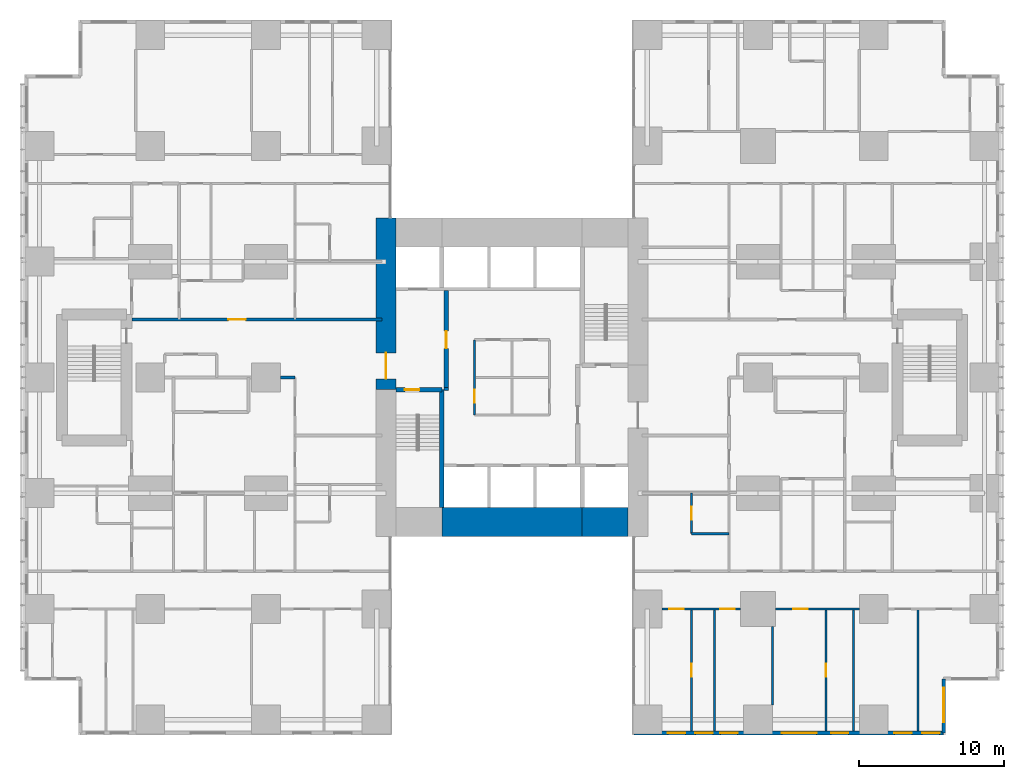
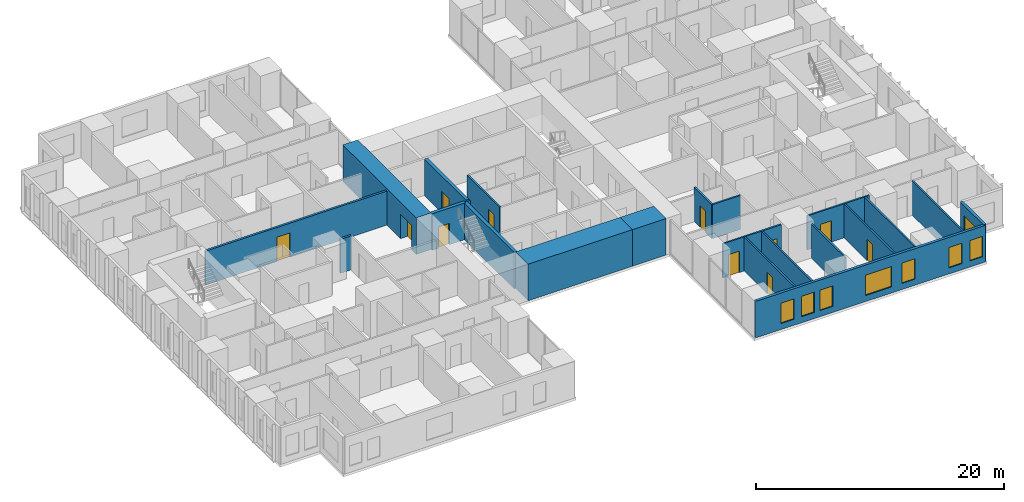
# One storey, part 14 of 20: 22 walls, 11 doors, 8 windows, 19 openings.
"""IFC4 building model written with IfcOpenShell, lengths in metres."""

from ifc_helpers import new_model, si_unit, direction, frame, frame_2d, origin, place, context, subcontext, project, spatial, rectangle, extrude, material, layer, layer_set, type_object, element, fill, save


model = new_model("IFC4")

# Units and contexts
model_context = context("Model", 3, precision=1e-05, world=origin(), true_north=direction((0.0, 1.0)))
body_context = subcontext(model_context, "Body", "Model", "MODEL_VIEW")
ifc_project = project(units=[si_unit("LENGTHUNIT", "METRE"), si_unit("AREAUNIT", "SQUARE_METRE"), si_unit("VOLUMEUNIT", "CUBIC_METRE"), si_unit("PLANEANGLEUNIT", "RADIAN"), si_unit("MASSUNIT", "GRAM", prefix="KILO")], contexts=[model_context])

# Site, building, storey
site_placement = place(None, origin())
site = spatial("IfcSite", under=ifc_project, at=site_placement, CompositionType="ELEMENT")
building_placement = place(site_placement, origin())
building = spatial("IfcBuilding", under=site, at=building_placement, Name="Cleftline Residences", CompositionType="ELEMENT")
storey_placement = place(building_placement, frame((0.0, 0.0, 80.0)))
storey = spatial("IfcBuildingStorey", under=building, at=storey_placement, Name="L20", CompositionType="ELEMENT", Elevation=80.0)

# Wall, opening, door
ifc_material_1 = material(Name="Concrete B70", Category="concrete")
ifc_layer_1 = layer(ifc_material_1, 1.39990234375)
ifc_layer_set_1 = layer_set([ifc_layer_1], Name="CORE WALL 1400")
wall_type_1 = type_object("IfcWallType", Name="CORE WALL 1400", PredefinedType="SHEAR", material=ifc_layer_set_1)
wall_1_placement = place(storey_placement, frame((24.300048828125, 23.14990234375, 0.0), z_axis=(0.0, 0.0, 1.0), x_axis=(0.0, 1.0, 0.0)))
wall_1 = element("IfcWall", 1, at=wall_1_placement, inside=storey, type_object=wall_type_1, Name="Core wall W", PredefinedType="SHEAR", context=body_context, shape_type="SweptSolid", body=[
    extrude(rectangle(XDim=11.85009765625, YDim=1.39990234375, at=frame_2d((5.925048828125, 0.0))), origin(), (0.0, 0.0, 1.0), 3.60009765625),
])
opening_1_placement = place(wall_1_placement, frame((0.75, 0.0, 0.0)))
opening_1 = element("IfcOpeningElement", 2, at=opening_1_placement, cuts=wall_1, Name="Opening D7", PredefinedType="OPENING", context=body_context, shape_type="SweptSolid", body=[
    extrude(rectangle(XDim=1.800048828125, YDim=2.39990234375, at=frame_2d((0.89990234375, 1.199951171875))), frame((0.0, 0.7099609375, 0.0), z_axis=(0.0, -1.0, 0.0), x_axis=(1.0, 0.0, 0.0)), (0.0, 0.0, 1.0), 1.419921875),
])
ifc_material_2 = material(Name="Steel", Category="steel")
door_type_1 = type_object("IfcDoorType", Name="WING DOOR 1800X2400", OperationType="DOUBLE_DOOR_DOUBLE_SWING", PredefinedType="DOOR", material=ifc_material_2)
door_1_placement = place(opening_1_placement, origin())
door_1 = element("IfcDoor", 3, at=door_1_placement, inside=storey, type_object=door_type_1, Name="West wing door", OperationType="DOUBLE_DOOR_DOUBLE_SWING", OverallHeight=2.39990234375, OverallWidth=1.800048828125, PredefinedType="DOOR", context=body_context, shape_type="SweptSolid", body=[
    extrude(rectangle(XDim=1.800048828125, YDim=2.39990234375, at=frame_2d((0.89990234375, 1.199951171875))), frame((0.0, 0.02490234375, 0.0), z_axis=(0.0, -1.0, 0.0), x_axis=(1.0, 0.0, 0.0)), (0.0, 0.0, 1.0), 0.050048828125),
])
fill(opening_1, door_1)

# Walls
ifc_material_3 = material(Name="Concrete B70", Category="concrete")
ifc_layer_2 = layer(ifc_material_3, 2.0)
ifc_layer_set_2 = layer_set([ifc_layer_2], Name="CORE WALL 2000")
wall_type_2 = type_object("IfcWallType", Name="CORE WALL 2000", PredefinedType="SHEAR", material=ifc_layer_set_2)
wall_2_placement = place(storey_placement, frame((28.14990234375, 14.0, 0.0), z_axis=(0.0, 0.0, 1.0), x_axis=(1.0, 0.0, 0.0)))
element("IfcWall", 4, at=wall_2_placement, inside=storey, type_object=wall_type_2, Name="Core wall S2", PredefinedType="SHEAR", context=body_context, shape_type="SweptSolid", body=[
    extrude(rectangle(XDim=9.7001953125, YDim=2.0, at=frame_2d((4.85009765625, 0.0))), origin(), (0.0, 0.0, 1.0), 3.60009765625),
])
wall_3_placement = place(storey_placement, frame((37.85009765625, 14.0, 0.0), z_axis=(0.0, 0.0, 1.0), x_axis=(1.0, 0.0, 0.0)))
element("IfcWall", 5, at=wall_3_placement, inside=storey, type_object=wall_type_2, Name="Core wall S3", PredefinedType="SHEAR", context=body_context, shape_type="SweptSolid", body=[
    extrude(rectangle(XDim=3.14990234375, YDim=2.0, at=frame_2d((1.574951171875, 0.0))), origin(), (0.0, 0.0, 1.0), 3.60009765625),
])
ifc_material_4 = material(Name="Concrete B70", Category="concrete")
ifc_layer_3 = layer(ifc_material_4, 0.300048828125)
ifc_layer_set_3 = layer_set([ifc_layer_3], Name="CORE WALL 300")
wall_type_3 = type_object("IfcWallType", Name="CORE WALL 300", PredefinedType="SHEAR", material=ifc_layer_set_3)
wall_4_placement = place(storey_placement, frame((28.14990234375, 15.0, 0.0), z_axis=(0.0, 0.0, 1.0), x_axis=(0.0, 1.0, 0.0)))
element("IfcWall", 6, at=wall_4_placement, inside=storey, type_object=wall_type_3, Name="Core wall SA-E", PredefinedType="SHEAR", context=body_context, shape_type="SweptSolid", body=[
    extrude(rectangle(XDim=8.14990234375, YDim=0.300048828125, at=frame_2d((4.074951171875, 0.0))), origin(), (0.0, 0.0, 1.0), 3.60009765625),
])

# Wall, opening, door
wall_5_placement = place(storey_placement, frame((25.0, 23.14990234375, 0.0), z_axis=(0.0, 0.0, 1.0), x_axis=(1.0, 0.0, 0.0)))
wall_5 = element("IfcWall", 7, at=wall_5_placement, inside=storey, type_object=wall_type_3, Name="Core wall SA-N", PredefinedType="SHEAR", context=body_context, shape_type="SweptSolid", body=[
    extrude(rectangle(XDim=3.14990234375, YDim=0.300048828125, at=frame_2d((1.574951171875, 0.0))), origin(), (0.0, 0.0, 1.0), 3.60009765625),
])
opening_2_placement = place(wall_5_placement, frame((0.60009765625, 0.0, 0.0)))
opening_2 = element("IfcOpeningElement", 8, at=opening_2_placement, cuts=wall_5, Name="Opening D5", PredefinedType="OPENING", context=body_context, shape_type="SweptSolid", body=[
    extrude(rectangle(XDim=1.0, YDim=2.10009765625, at=frame_2d((0.5, 1.050048828125))), frame((0.0, 0.159912109375, 0.0), z_axis=(0.0, -1.0, 0.0), x_axis=(1.0, 0.0, 0.0)), (0.0, 0.0, 1.0), 0.320068359375),
])
ifc_material_5 = material(Name="Steel", Category="steel")
door_type_2 = type_object("IfcDoorType", Name="STAIR DOOR 1000X2100", OperationType="SINGLE_SWING_LEFT", PredefinedType="DOOR", material=ifc_material_5)
door_2_placement = place(opening_2_placement, origin())
door_2 = element("IfcDoor", 9, at=door_2_placement, inside=storey, type_object=door_type_2, Name="Stair A door", OperationType="SINGLE_SWING_RIGHT", OverallHeight=2.10009765625, OverallWidth=1.0, PredefinedType="DOOR", context=body_context, shape_type="SweptSolid", body=[
    extrude(rectangle(XDim=1.0, YDim=2.10009765625, at=frame_2d((0.5, 1.050048828125))), frame((0.0, 0.02490234375, 0.0), z_axis=(0.0, -1.0, 0.0), x_axis=(1.0, 0.0, 0.0)), (0.0, 0.0, 1.0), 0.050048828125),
])
fill(opening_2, door_2)

# Wall, openings, windows
ifc_material_6 = material(Name="Rendered reinforced concrete blockwork", Category="masonry")
ifc_layer_4 = layer(ifc_material_6, 0.25)
ifc_layer_set_4 = layer_set([ifc_layer_4], Name="EXTERNAL WALL 250")
wall_type_4 = type_object("IfcWallType", Name="EXTERNAL WALL 250", PredefinedType="SOLIDWALL", material=ifc_layer_set_4)
wall_6_placement = place(storey_placement, frame((41.425048828125, -0.574951171875, 0.0), z_axis=(0.0, 0.0, 1.0), x_axis=(1.0, 0.0, 0.0)))
wall_6 = element("IfcWall", 10, at=wall_6_placement, inside=storey, type_object=wall_type_4, Name="External wall", PredefinedType="SOLIDWALL", context=body_context, shape_type="SweptSolid", body=[
    extrude(rectangle(XDim=21.39990234375, YDim=0.25, at=frame_2d((10.699951171875, 0.0))), origin(), (0.0, 0.0, 1.0), 3.60009765625),
])
opening_3_placement = place(wall_6_placement, frame((2.35009765625, 0.0, 0.60009765625)))
opening_3 = element("IfcOpeningElement", 11, at=opening_3_placement, cuts=wall_6, Name="Opening W8", PredefinedType="OPENING", context=body_context, shape_type="SweptSolid", body=[
    extrude(rectangle(XDim=1.199951171875, YDim=2.0, at=frame_2d((0.60009765625, 1.0))), frame((0.0, 0.135009765625, 0.0), z_axis=(0.0, -1.0, 0.0), x_axis=(1.0, 0.0, 0.0)), (0.0, 0.0, 1.0), 0.27001953125),
])
opening_4_placement = place(wall_6_placement, frame((4.25, 0.0, 0.60009765625)))
opening_4 = element("IfcOpeningElement", 12, at=opening_4_placement, cuts=wall_6, Name="Opening W8", PredefinedType="OPENING", context=body_context, shape_type="SweptSolid", body=[
    extrude(rectangle(XDim=1.199951171875, YDim=2.0, at=frame_2d((0.60009765625, 1.0))), frame((0.0, 0.135009765625, 0.0), z_axis=(0.0, -1.0, 0.0), x_axis=(1.0, 0.0, 0.0)), (0.0, 0.0, 1.0), 0.27001953125),
])
opening_5_placement = place(wall_6_placement, frame((5.97509765625, 0.0, 0.60009765625)))
opening_5 = element("IfcOpeningElement", 13, at=opening_5_placement, cuts=wall_6, Name="Opening W8", PredefinedType="OPENING", context=body_context, shape_type="SweptSolid", body=[
    extrude(rectangle(XDim=1.199951171875, YDim=2.0, at=frame_2d((0.60009765625, 1.0))), frame((0.0, 0.135009765625, 0.0), z_axis=(0.0, -1.0, 0.0), x_axis=(1.0, 0.0, 0.0)), (0.0, 0.0, 1.0), 0.27001953125),
])
opening_6_placement = place(wall_6_placement, frame((10.22509765625, 0.0, 0.60009765625)))
opening_6 = element("IfcOpeningElement", 14, at=opening_6_placement, cuts=wall_6, Name="Opening W6", PredefinedType="OPENING", context=body_context, shape_type="SweptSolid", body=[
    extrude(rectangle(XDim=2.39990234375, YDim=2.0, at=frame_2d((1.199951171875, 1.0))), frame((0.0, 0.135009765625, 0.0), z_axis=(0.0, -1.0, 0.0), x_axis=(1.0, 0.0, 0.0)), (0.0, 0.0, 1.0), 0.27001953125),
])
opening_7_placement = place(wall_6_placement, frame((13.625, 0.0, 0.60009765625)))
opening_7 = element("IfcOpeningElement", 15, at=opening_7_placement, cuts=wall_6, Name="Opening W8", PredefinedType="OPENING", context=body_context, shape_type="SweptSolid", body=[
    extrude(rectangle(XDim=1.199951171875, YDim=2.0, at=frame_2d((0.60009765625, 1.0))), frame((0.0, 0.135009765625, 0.0), z_axis=(0.0, -1.0, 0.0), x_axis=(1.0, 0.0, 0.0)), (0.0, 0.0, 1.0), 0.27001953125),
])
opening_8_placement = place(wall_6_placement, frame((18.0, 0.0, 0.60009765625)))
opening_8 = element("IfcOpeningElement", 16, at=opening_8_placement, cuts=wall_6, Name="Opening W8", PredefinedType="OPENING", context=body_context, shape_type="SweptSolid", body=[
    extrude(rectangle(XDim=1.199951171875, YDim=2.0, at=frame_2d((0.60009765625, 1.0))), frame((0.0, 0.135009765625, 0.0), z_axis=(0.0, -1.0, 0.0), x_axis=(1.0, 0.0, 0.0)), (0.0, 0.0, 1.0), 0.27001953125),
])
opening_9_placement = place(wall_6_placement, frame((19.925048828125, 0.0, 0.60009765625)))
opening_9 = element("IfcOpeningElement", 17, at=opening_9_placement, cuts=wall_6, Name="Opening W8", PredefinedType="OPENING", context=body_context, shape_type="SweptSolid", body=[
    extrude(rectangle(XDim=1.199951171875, YDim=2.0, at=frame_2d((0.60009765625, 1.0))), frame((0.0, 0.135009765625, 0.0), z_axis=(0.0, -1.0, 0.0), x_axis=(1.0, 0.0, 0.0)), (0.0, 0.0, 1.0), 0.27001953125),
])
ifc_material_7 = material(Name="Aluminium frame, clear double glazing", Category="aluminium")
window_type_1 = type_object("IfcWindowType", Name="WINDOW 1200X2000", PartitioningType="DOUBLE_PANEL_VERTICAL", PredefinedType="WINDOW", material=ifc_material_7)
window_1_placement = place(opening_3_placement, origin())
window_1 = element("IfcWindow", 18, at=window_1_placement, inside=storey, type_object=window_type_1, Name="Window", OverallHeight=2.0, OverallWidth=1.199951171875, PartitioningType="SINGLE_PANEL", PredefinedType="WINDOW", context=body_context, shape_type="SweptSolid", body=[
    extrude(rectangle(XDim=1.199951171875, YDim=2.0, at=frame_2d((0.60009765625, 1.0))), frame((0.0, 0.030029296875, 0.0), z_axis=(0.0, -1.0, 0.0), x_axis=(1.0, 0.0, 0.0)), (0.0, 0.0, 1.0), 0.06005859375),
])
fill(opening_3, window_1)
window_2_placement = place(opening_4_placement, origin())
window_2 = element("IfcWindow", 19, at=window_2_placement, inside=storey, type_object=window_type_1, Name="Window", OverallHeight=2.0, OverallWidth=1.199951171875, PartitioningType="SINGLE_PANEL", PredefinedType="WINDOW", context=body_context, shape_type="SweptSolid", body=[
    extrude(rectangle(XDim=1.199951171875, YDim=2.0, at=frame_2d((0.60009765625, 1.0))), frame((0.0, 0.030029296875, 0.0), z_axis=(0.0, -1.0, 0.0), x_axis=(1.0, 0.0, 0.0)), (0.0, 0.0, 1.0), 0.06005859375),
])
fill(opening_4, window_2)
window_3_placement = place(opening_5_placement, origin())
window_3 = element("IfcWindow", 20, at=window_3_placement, inside=storey, type_object=window_type_1, Name="Window", OverallHeight=2.0, OverallWidth=1.199951171875, PartitioningType="SINGLE_PANEL", PredefinedType="WINDOW", context=body_context, shape_type="SweptSolid", body=[
    extrude(rectangle(XDim=1.199951171875, YDim=2.0, at=frame_2d((0.60009765625, 1.0))), frame((0.0, 0.030029296875, 0.0), z_axis=(0.0, -1.0, 0.0), x_axis=(1.0, 0.0, 0.0)), (0.0, 0.0, 1.0), 0.06005859375),
])
fill(opening_5, window_3)
window_4_placement = place(opening_7_placement, origin())
window_4 = element("IfcWindow", 21, at=window_4_placement, inside=storey, type_object=window_type_1, Name="Window", OverallHeight=2.0, OverallWidth=1.199951171875, PartitioningType="SINGLE_PANEL", PredefinedType="WINDOW", context=body_context, shape_type="SweptSolid", body=[
    extrude(rectangle(XDim=1.199951171875, YDim=2.0, at=frame_2d((0.60009765625, 1.0))), frame((0.0, 0.030029296875, 0.0), z_axis=(0.0, -1.0, 0.0), x_axis=(1.0, 0.0, 0.0)), (0.0, 0.0, 1.0), 0.06005859375),
])
fill(opening_7, window_4)
window_5_placement = place(opening_8_placement, origin())
window_5 = element("IfcWindow", 22, at=window_5_placement, inside=storey, type_object=window_type_1, Name="Window", OverallHeight=2.0, OverallWidth=1.199951171875, PartitioningType="SINGLE_PANEL", PredefinedType="WINDOW", context=body_context, shape_type="SweptSolid", body=[
    extrude(rectangle(XDim=1.199951171875, YDim=2.0, at=frame_2d((0.60009765625, 1.0))), frame((0.0, 0.030029296875, 0.0), z_axis=(0.0, -1.0, 0.0), x_axis=(1.0, 0.0, 0.0)), (0.0, 0.0, 1.0), 0.06005859375),
])
fill(opening_8, window_5)
window_6_placement = place(opening_9_placement, origin())
window_6 = element("IfcWindow", 23, at=window_6_placement, inside=storey, type_object=window_type_1, Name="Window", OverallHeight=2.0, OverallWidth=1.199951171875, PartitioningType="SINGLE_PANEL", PredefinedType="WINDOW", context=body_context, shape_type="SweptSolid", body=[
    extrude(rectangle(XDim=1.199951171875, YDim=2.0, at=frame_2d((0.60009765625, 1.0))), frame((0.0, 0.030029296875, 0.0), z_axis=(0.0, -1.0, 0.0), x_axis=(1.0, 0.0, 0.0)), (0.0, 0.0, 1.0), 0.06005859375),
])
fill(opening_9, window_6)
ifc_material_8 = material(Name="Aluminium frame, clear double glazing", Category="aluminium")
window_type_2 = type_object("IfcWindowType", Name="WINDOW 2400X2000", PartitioningType="DOUBLE_PANEL_VERTICAL", PredefinedType="WINDOW", material=ifc_material_8)
window_7_placement = place(opening_6_placement, origin())
window_7 = element("IfcWindow", 24, at=window_7_placement, inside=storey, type_object=window_type_2, Name="Window", OverallHeight=2.0, OverallWidth=2.39990234375, PartitioningType="SINGLE_PANEL", PredefinedType="WINDOW", context=body_context, shape_type="SweptSolid", body=[
    extrude(rectangle(XDim=2.39990234375, YDim=2.0, at=frame_2d((1.199951171875, 1.0))), frame((0.0, 0.030029296875, 0.0), z_axis=(0.0, -1.0, 0.0), x_axis=(1.0, 0.0, 0.0)), (0.0, 0.0, 1.0), 0.06005859375),
])
fill(opening_6, window_7)

# Wall, opening, window
wall_7_placement = place(storey_placement, frame((62.824951171875, -0.574951171875, 0.0), z_axis=(0.0, 0.0, 1.0), x_axis=(0.0, 1.0, 0.0)))
wall_7 = element("IfcWall", 25, at=wall_7_placement, inside=storey, type_object=wall_type_4, Name="External wall", PredefinedType="SOLIDWALL", context=body_context, shape_type="SweptSolid", body=[
    extrude(rectangle(XDim=3.75, YDim=0.25, at=frame_2d((1.875, 0.0))), origin(), (0.0, 0.0, 1.0), 3.60009765625),
])
opening_10_placement = place(wall_7_placement, frame((0.737548828125, 0.0, 0.60009765625)))
opening_10 = element("IfcOpeningElement", 26, at=opening_10_placement, cuts=wall_7, Name="Opening W6", PredefinedType="OPENING", context=body_context, shape_type="SweptSolid", body=[
    extrude(rectangle(XDim=2.39990234375, YDim=2.0, at=frame_2d((1.199951171875, 1.0))), frame((0.0, 0.135009765625, 0.0), z_axis=(0.0, -1.0, 0.0), x_axis=(1.0, 0.0, 0.0)), (0.0, 0.0, 1.0), 0.27001953125),
])
window_8_placement = place(opening_10_placement, origin())
window_8 = element("IfcWindow", 27, at=window_8_placement, inside=storey, type_object=window_type_2, Name="Window", OverallHeight=2.0, OverallWidth=2.39990234375, PartitioningType="SINGLE_PANEL", PredefinedType="WINDOW", context=body_context, shape_type="SweptSolid", body=[
    extrude(rectangle(XDim=2.39990234375, YDim=2.0, at=frame_2d((1.199951171875, 1.0))), frame((0.0, 0.030029296875, 0.0), z_axis=(0.0, -1.0, 0.0), x_axis=(1.0, 0.0, 0.0)), (0.0, 0.0, 1.0), 0.06005859375),
])
fill(opening_10, window_8)

# Wall
ifc_material_9 = material(Name="Concrete blockwork, fire rated", Category="masonry")
ifc_layer_5 = layer(ifc_material_9, 0.199951171875)
ifc_layer_set_5 = layer_set([ifc_layer_5], Name="FIRE WALL 200")
wall_type_5 = type_object("IfcWallType", Name="FIRE WALL 200", PredefinedType="PARTITIONING", material=ifc_layer_set_5)
wall_8_placement = place(storey_placement, frame((17.0, 24.0, 0.0), z_axis=(0.0, 0.0, 1.0), x_axis=(1.0, 0.0, 0.0)))
element("IfcWall", 28, at=wall_8_placement, inside=storey, type_object=wall_type_5, Name="Fire separating wall", PredefinedType="PARTITIONING", context=body_context, shape_type="SweptSolid", body=[
    extrude(rectangle(XDim=1.0, YDim=0.199951171875, at=frame_2d((0.5, 0.0))), origin(), (0.0, 0.0, 1.0), 3.35009765625),
])

# Wall, opening, door
wall_9_placement = place(storey_placement, frame((6.72509765625, 28.0, 0.0), z_axis=(0.0, 0.0, 1.0), x_axis=(1.0, 0.0, 0.0)))
wall_9 = element("IfcWall", 29, at=wall_9_placement, inside=storey, type_object=wall_type_5, Name="Fire separating wall", PredefinedType="PARTITIONING", context=body_context, shape_type="SweptSolid", body=[
    extrude(rectangle(XDim=17.27490234375, YDim=0.199951171875, at=frame_2d((8.637451171875, 0.0))), origin(), (0.0, 0.0, 1.0), 3.35009765625),
])
opening_11_placement = place(wall_9_placement, frame((6.675048828125, 0.0, 0.0)))
opening_11 = element("IfcOpeningElement", 30, at=opening_11_placement, cuts=wall_9, Name="Opening D4", PredefinedType="OPENING", context=body_context, shape_type="SweptSolid", body=[
    extrude(rectangle(XDim=1.199951171875, YDim=2.39990234375, at=frame_2d((0.60009765625, 1.199951171875))), frame((0.0, 0.10986328125, 0.0), z_axis=(0.0, -1.0, 0.0), x_axis=(1.0, 0.0, 0.0)), (0.0, 0.0, 1.0), 0.219970703125),
])
ifc_material_10 = material(Name="Timber veneer on solid core", Category="wood")
door_type_3 = type_object("IfcDoorType", Name="APARTMENT ENTRANCE DOOR 1200X2400", OperationType="SINGLE_SWING_RIGHT", PredefinedType="DOOR", material=ifc_material_10)
door_3_placement = place(opening_11_placement, origin())
door_3 = element("IfcDoor", 31, at=door_3_placement, inside=storey, type_object=door_type_3, Name="Door to residence entrance foyer", OperationType="SINGLE_SWING_RIGHT", OverallHeight=2.39990234375, OverallWidth=1.199951171875, PredefinedType="DOOR", context=body_context, shape_type="SweptSolid", body=[
    extrude(rectangle(XDim=1.199951171875, YDim=2.39990234375, at=frame_2d((0.60009765625, 1.199951171875))), frame((0.0, 0.02490234375, 0.0), z_axis=(0.0, -1.0, 0.0), x_axis=(1.0, 0.0, 0.0)), (0.0, 0.0, 1.0), 0.050048828125),
])
fill(opening_11, door_3)

# Wall
wall_10_placement = place(storey_placement, frame((28.300048828125, 23.199951171875, 0.0), z_axis=(0.0, 0.0, 1.0), x_axis=(1.0, 0.0, 0.0)))
element("IfcWall", 32, at=wall_10_placement, inside=storey, type_object=wall_type_5, Name="Fire separating wall", PredefinedType="PARTITIONING", context=body_context, shape_type="SweptSolid", body=[
    extrude(rectangle(XDim=0.300048828125, YDim=0.199951171875, at=frame_2d((0.14990234375, 0.0))), origin(), (0.0, 0.0, 1.0), 3.60009765625),
])

# Wall, openings, doors
ifc_material_11 = material(Name="Gypsum board on steel studs", Category="steel")
ifc_layer_6 = layer(ifc_material_11, 0.14990234375)
ifc_layer_set_6 = layer_set([ifc_layer_6], Name="PARTITION 150")
wall_type_6 = type_object("IfcWallType", Name="PARTITION 150", PredefinedType="PARTITIONING", material=ifc_layer_set_6)
wall_11_placement = place(storey_placement, frame((43.35009765625, 8.0, 0.0), z_axis=(0.0, 0.0, 1.0), x_axis=(1.0, 0.0, 0.0)))
wall_11 = element("IfcWall", 33, at=wall_11_placement, inside=storey, type_object=wall_type_6, Name="Partition", PredefinedType="PARTITIONING", context=body_context, shape_type="SweptSolid", body=[
    extrude(rectangle(XDim=5.449951171875, YDim=0.14990234375, at=frame_2d((2.72509765625, 0.0))), origin(), (0.0, 0.0, 1.0), 3.35009765625),
])
opening_12_placement = place(wall_11_placement, frame((4.050048828125, 0.0, 0.0)))
opening_12 = element("IfcOpeningElement", 34, at=opening_12_placement, cuts=wall_11, Name="Opening D2", PredefinedType="OPENING", context=body_context, shape_type="SweptSolid", body=[
    extrude(rectangle(XDim=1.0, YDim=2.10009765625, at=frame_2d((0.5, 1.050048828125))), frame((0.0, 0.0849609375, 0.0), z_axis=(0.0, -1.0, 0.0), x_axis=(1.0, 0.0, 0.0)), (0.0, 0.0, 1.0), 0.169921875),
])
opening_13_placement = place(wall_11_placement, frame((0.52490234375, 0.0, 0.0)))
opening_13 = element("IfcOpeningElement", 35, at=opening_13_placement, cuts=wall_11, Name="Opening D2", PredefinedType="OPENING", context=body_context, shape_type="SweptSolid", body=[
    extrude(rectangle(XDim=1.0, YDim=2.10009765625, at=frame_2d((0.5, 1.050048828125))), frame((0.0, 0.0849609375, 0.0), z_axis=(0.0, -1.0, 0.0), x_axis=(1.0, 0.0, 0.0)), (0.0, 0.0, 1.0), 0.169921875),
])
ifc_material_12 = material(Name="Timber veneer on solid core", Category="wood")
door_type_4 = type_object("IfcDoorType", Name="DOOR 1000X2100", OperationType="SINGLE_SWING_LEFT", PredefinedType="DOOR", material=ifc_material_12)
door_4_placement = place(opening_12_placement, origin())
door_4 = element("IfcDoor", 36, at=door_4_placement, inside=storey, type_object=door_type_4, Name="Door to dining room", OperationType="SINGLE_SWING_LEFT", OverallHeight=2.10009765625, OverallWidth=1.0, PredefinedType="DOOR", context=body_context, shape_type="SweptSolid", body=[
    extrude(rectangle(XDim=1.0, YDim=2.10009765625, at=frame_2d((0.5, 1.050048828125))), frame((0.0, 0.02490234375, 0.0), z_axis=(0.0, -1.0, 0.0), x_axis=(1.0, 0.0, 0.0)), (0.0, 0.0, 1.0), 0.050048828125),
])
fill(opening_12, door_4)
door_5_placement = place(opening_13_placement, origin())
door_5 = element("IfcDoor", 37, at=door_5_placement, inside=storey, type_object=door_type_4, Name="Door to show kitchen", OperationType="SINGLE_SWING_RIGHT", OverallHeight=2.10009765625, OverallWidth=1.0, PredefinedType="DOOR", context=body_context, shape_type="SweptSolid", body=[
    extrude(rectangle(XDim=1.0, YDim=2.10009765625, at=frame_2d((0.5, 1.050048828125))), frame((0.0, 0.02490234375, 0.0), z_axis=(0.0, -1.0, 0.0), x_axis=(1.0, 0.0, 0.0)), (0.0, 0.0, 1.0), 0.050048828125),
])
fill(opening_13, door_5)

# Wall, opening, door
wall_12_placement = place(storey_placement, frame((51.199951171875, 8.0, 0.0), z_axis=(0.0, 0.0, 1.0), x_axis=(1.0, 0.0, 0.0)))
wall_12 = element("IfcWall", 38, at=wall_12_placement, inside=storey, type_object=wall_type_6, Name="Partition", PredefinedType="PARTITIONING", context=body_context, shape_type="SweptSolid", body=[
    extrude(rectangle(XDim=5.800048828125, YDim=0.14990234375, at=frame_2d((2.89990234375, 0.0))), origin(), (0.0, 0.0, 1.0), 3.35009765625),
])
opening_14_placement = place(wall_12_placement, frame((1.25, 0.0, 0.0)))
opening_14 = element("IfcOpeningElement", 39, at=opening_14_placement, cuts=wall_12, Name="Opening D2", PredefinedType="OPENING", context=body_context, shape_type="SweptSolid", body=[
    extrude(rectangle(XDim=1.0, YDim=2.10009765625, at=frame_2d((0.5, 1.050048828125))), frame((0.0, 0.0849609375, 0.0), z_axis=(0.0, -1.0, 0.0), x_axis=(1.0, 0.0, 0.0)), (0.0, 0.0, 1.0), 0.169921875),
])
door_6_placement = place(opening_14_placement, origin())
door_6 = element("IfcDoor", 40, at=door_6_placement, inside=storey, type_object=door_type_4, Name="Door to bedroom 3", OperationType="SINGLE_SWING_RIGHT", OverallHeight=2.10009765625, OverallWidth=1.0, PredefinedType="DOOR", context=body_context, shape_type="SweptSolid", body=[
    extrude(rectangle(XDim=1.0, YDim=2.10009765625, at=frame_2d((0.5, 1.050048828125))), frame((0.0, 0.02490234375, 0.0), z_axis=(0.0, -1.0, 0.0), x_axis=(1.0, 0.0, 0.0)), (0.0, 0.0, 1.0), 0.050048828125),
])
fill(opening_14, door_6)

# Wall
wall_13_placement = place(storey_placement, frame((45.39990234375, 13.199951171875, 0.0), z_axis=(0.0, 0.0, 1.0), x_axis=(1.0, 0.0, 0.0)))
element("IfcWall", 41, at=wall_13_placement, inside=storey, type_object=wall_type_6, Name="Partition", PredefinedType="PARTITIONING", context=body_context, shape_type="SweptSolid", body=[
    extrude(rectangle(XDim=2.60009765625, YDim=0.14990234375, at=frame_2d((1.300048828125, 0.0))), origin(), (0.0, 0.0, 1.0), 3.35009765625),
])

# Wall, opening, door
wall_14_placement = place(storey_placement, frame((45.39990234375, -0.449951171875, 0.0), z_axis=(0.0, 0.0, 1.0), x_axis=(0.0, 1.0, 0.0)))
wall_14 = element("IfcWall", 42, at=wall_14_placement, inside=storey, type_object=wall_type_6, Name="Partition", PredefinedType="PARTITIONING", context=body_context, shape_type="SweptSolid", body=[
    extrude(rectangle(XDim=8.449951171875, YDim=0.14990234375, at=frame_2d((4.22509765625, 0.0))), origin(), (0.0, 0.0, 1.0), 3.35009765625),
])
opening_15_placement = place(wall_14_placement, frame((3.77490234375, 0.0, 0.0)))
opening_15 = element("IfcOpeningElement", 43, at=opening_15_placement, cuts=wall_14, Name="Opening D1", PredefinedType="OPENING", context=body_context, shape_type="SweptSolid", body=[
    extrude(rectangle(XDim=0.89990234375, YDim=2.10009765625, at=frame_2d((0.449951171875, 1.050048828125))), frame((0.0, 0.0849609375, 0.0), z_axis=(0.0, -1.0, 0.0), x_axis=(1.0, 0.0, 0.0)), (0.0, 0.0, 1.0), 0.169921875),
])
ifc_material_13 = material(Name="Timber veneer on solid core", Category="wood")
door_type_5 = type_object("IfcDoorType", Name="DOOR 900X2100", OperationType="SINGLE_SWING_LEFT", PredefinedType="DOOR", material=ifc_material_13)
door_7_placement = place(opening_15_placement, origin())
door_7 = element("IfcDoor", 44, at=door_7_placement, inside=storey, type_object=door_type_5, Name="Door to larder", OperationType="SINGLE_SWING_LEFT", OverallHeight=2.10009765625, OverallWidth=0.89990234375, PredefinedType="DOOR", context=body_context, shape_type="SweptSolid", body=[
    extrude(rectangle(XDim=0.89990234375, YDim=2.10009765625, at=frame_2d((0.449951171875, 1.050048828125))), frame((0.0, 0.02490234375, 0.0), z_axis=(0.0, -1.0, 0.0), x_axis=(1.0, 0.0, 0.0)), (0.0, 0.0, 1.0), 0.050048828125),
])
fill(opening_15, door_7)

wall_15_placement = place(storey_placement, frame((45.39990234375, 13.199951171875, 0.0), z_axis=(0.0, 0.0, 1.0), x_axis=(0.0, 1.0, 0.0)))
wall_15 = element("IfcWall", 45, at=wall_15_placement, inside=storey, type_object=wall_type_6, Name="Partition", PredefinedType="PARTITIONING", context=body_context, shape_type="SweptSolid", body=[
    extrude(rectangle(XDim=2.800048828125, YDim=0.14990234375, at=frame_2d((1.39990234375, 0.0))), origin(), (0.0, 0.0, 1.0), 3.35009765625),
])
opening_16_placement = place(wall_15_placement, frame((0.949951171875, 0.0, 0.0)))
opening_16 = element("IfcOpeningElement", 46, at=opening_16_placement, cuts=wall_15, Name="Opening D1", PredefinedType="OPENING", context=body_context, shape_type="SweptSolid", body=[
    extrude(rectangle(XDim=0.89990234375, YDim=2.10009765625, at=frame_2d((0.449951171875, 1.050048828125))), frame((0.0, 0.0849609375, 0.0), z_axis=(0.0, -1.0, 0.0), x_axis=(1.0, 0.0, 0.0)), (0.0, 0.0, 1.0), 0.169921875),
])
door_8_placement = place(opening_16_placement, origin())
door_8 = element("IfcDoor", 47, at=door_8_placement, inside=storey, type_object=door_type_5, Name="Door to master bathroom", OperationType="SINGLE_SWING_LEFT", OverallHeight=2.10009765625, OverallWidth=0.89990234375, PredefinedType="DOOR", context=body_context, shape_type="SweptSolid", body=[
    extrude(rectangle(XDim=0.89990234375, YDim=2.10009765625, at=frame_2d((0.449951171875, 1.050048828125))), frame((0.0, 0.02490234375, 0.0), z_axis=(0.0, -1.0, 0.0), x_axis=(1.0, 0.0, 0.0)), (0.0, 0.0, 1.0), 0.050048828125),
])
fill(opening_16, door_8)

# Walls
wall_16_placement = place(storey_placement, frame((47.0, -0.449951171875, 0.0), z_axis=(0.0, 0.0, 1.0), x_axis=(0.0, 1.0, 0.0)))
element("IfcWall", 48, at=wall_16_placement, inside=storey, type_object=wall_type_6, Name="Partition", PredefinedType="PARTITIONING", context=body_context, shape_type="SweptSolid", body=[
    extrude(rectangle(XDim=8.449951171875, YDim=0.14990234375, at=frame_2d((4.22509765625, 0.0))), origin(), (0.0, 0.0, 1.0), 3.35009765625),
])
wall_17_placement = place(storey_placement, frame((51.0, 1.35009765625, 0.0), z_axis=(0.0, 0.0, 1.0), x_axis=(0.0, 1.0, 0.0)))
element("IfcWall", 49, at=wall_17_placement, inside=storey, type_object=wall_type_6, Name="Partition", PredefinedType="PARTITIONING", context=body_context, shape_type="SweptSolid", body=[
    extrude(rectangle(XDim=5.449951171875, YDim=0.14990234375, at=frame_2d((2.72509765625, 0.0))), origin(), (0.0, 0.0, 1.0), 3.35009765625),
])

# Wall, opening, door
wall_18_placement = place(storey_placement, frame((54.699951171875, -0.449951171875, 0.0), z_axis=(0.0, 0.0, 1.0), x_axis=(0.0, 1.0, 0.0)))
wall_18 = element("IfcWall", 50, at=wall_18_placement, inside=storey, type_object=wall_type_6, Name="Partition", PredefinedType="PARTITIONING", context=body_context, shape_type="SweptSolid", body=[
    extrude(rectangle(XDim=8.449951171875, YDim=0.14990234375, at=frame_2d((4.22509765625, 0.0))), origin(), (0.0, 0.0, 1.0), 3.35009765625),
])
opening_17_placement = place(wall_18_placement, frame((3.77490234375, 0.0, 0.0)))
opening_17 = element("IfcOpeningElement", 51, at=opening_17_placement, cuts=wall_18, Name="Opening D1", PredefinedType="OPENING", context=body_context, shape_type="SweptSolid", body=[
    extrude(rectangle(XDim=0.89990234375, YDim=2.10009765625, at=frame_2d((0.449951171875, 1.050048828125))), frame((0.0, 0.0849609375, 0.0), z_axis=(0.0, -1.0, 0.0), x_axis=(1.0, 0.0, 0.0)), (0.0, 0.0, 1.0), 0.169921875),
])
door_9_placement = place(opening_17_placement, origin())
door_9 = element("IfcDoor", 52, at=door_9_placement, inside=storey, type_object=door_type_5, Name="Door to en-suite bathroom 3", OperationType="SINGLE_SWING_LEFT", OverallHeight=2.10009765625, OverallWidth=0.89990234375, PredefinedType="DOOR", context=body_context, shape_type="SweptSolid", body=[
    extrude(rectangle(XDim=0.89990234375, YDim=2.10009765625, at=frame_2d((0.449951171875, 1.050048828125))), frame((0.0, 0.02490234375, 0.0), z_axis=(0.0, -1.0, 0.0), x_axis=(1.0, 0.0, 0.0)), (0.0, 0.0, 1.0), 0.050048828125),
])
fill(opening_17, door_9)

# Walls
for number, where, z_axis, x_axis, name in (
    (53, (56.60009765625, -0.449951171875, 0.0), (0.0, 0.0, 1.0), (0.0, 1.0, 0.0), "Partition"),
    (54, (61.050048828125, -0.449951171875, 0.0), (0.0, 0.0, 1.0), (0.0, 1.0, 0.0), "Partition"),
):
    element("IfcWall", number, at=place(storey_placement, frame(where, z_axis=z_axis, x_axis=x_axis)), inside=storey, type_object=wall_type_6, Name=name, PredefinedType="PARTITIONING", context=body_context, shape_type="SweptSolid", body=[
        extrude(rectangle(XDim=8.449951171875, YDim=0.14990234375, at=frame_2d((4.22509765625, 0.0))), origin(), (0.0, 0.0, 1.0), 3.35009765625),
    ])

# Wall, opening, door
ifc_material_14 = material(Name="Fire-resisting gypsum board on steel studs", Category="steel")
ifc_layer_7 = layer(ifc_material_14, 0.14990234375)
ifc_layer_set_7 = layer_set([ifc_layer_7], Name="PARTITION 150 EI 60")
wall_type_7 = type_object("IfcWallType", Name="PARTITION 150 EI 60", PredefinedType="PARTITIONING", material=ifc_layer_set_7)
wall_19_placement = place(storey_placement, frame((30.39990234375, 21.39990234375, 0.0), z_axis=(0.0, 0.0, 1.0), x_axis=(0.0, 1.0, 0.0)))
wall_19 = element("IfcWall", 55, at=wall_19_placement, inside=storey, type_object=wall_type_7, Name="Core room partition", PredefinedType="PARTITIONING", context=body_context, shape_type="SweptSolid", body=[
    extrude(rectangle(XDim=5.2001953125, YDim=0.14990234375, at=frame_2d((2.60009765625, 0.0))), origin(), (0.0, 0.0, 1.0), 3.35009765625),
])
opening_18_placement = place(wall_19_placement, frame((0.85009765625, 0.0, 0.0)))
opening_18 = element("IfcOpeningElement", 56, at=opening_18_placement, cuts=wall_19, Name="Opening D1F30", PredefinedType="OPENING", context=body_context, shape_type="SweptSolid", body=[
    extrude(rectangle(XDim=0.89990234375, YDim=2.10009765625, at=frame_2d((0.449951171875, 1.050048828125))), frame((0.0, 0.0849609375, 0.0), z_axis=(0.0, -1.0, 0.0), x_axis=(1.0, 0.0, 0.0)), (0.0, 0.0, 1.0), 0.169921875),
])
ifc_material_15 = material(Name="Timber veneer on solid core", Category="wood")
door_type_6 = type_object("IfcDoorType", Name="DOOR 900X2100 EI 30", OperationType="SINGLE_SWING_LEFT", PredefinedType="DOOR", material=ifc_material_15)
door_10_placement = place(opening_18_placement, origin())
door_10 = element("IfcDoor", 57, at=door_10_placement, inside=storey, type_object=door_type_6, Name="Door to housekeeping pantry", OperationType="SINGLE_SWING_RIGHT", OverallHeight=2.10009765625, OverallWidth=0.89990234375, PredefinedType="DOOR", context=body_context, shape_type="SweptSolid", body=[
    extrude(rectangle(XDim=0.89990234375, YDim=2.10009765625, at=frame_2d((0.449951171875, 1.050048828125))), frame((0.0, 0.02490234375, 0.0), z_axis=(0.0, -1.0, 0.0), x_axis=(1.0, 0.0, 0.0)), (0.0, 0.0, 1.0), 0.050048828125),
])
fill(opening_18, door_10)

ifc_material_16 = material(Name="Concrete blockwork, fire rated", Category="masonry")
ifc_layer_8 = layer(ifc_material_16, 0.300048828125)
ifc_layer_set_8 = layer_set([ifc_layer_8], Name="STAIR LOBBY WALL 300")
wall_type_8 = type_object("IfcWallType", Name="STAIR LOBBY WALL 300", PredefinedType="PARTITIONING", material=ifc_layer_set_8)
wall_20_placement = place(storey_placement, frame((28.449951171875, 23.300048828125, 0.0), z_axis=(0.0, 0.0, 1.0), x_axis=(0.0, 1.0, 0.0)))
wall_20 = element("IfcWall", 58, at=wall_20_placement, inside=storey, type_object=wall_type_8, Name="Stair and lobby wall FA-E", PredefinedType="PARTITIONING", context=body_context, shape_type="SweptSolid", body=[
    extrude(rectangle(XDim=6.699951171875, YDim=0.300048828125, at=frame_2d((3.35009765625, 0.0))), origin(), (0.0, 0.0, 1.0), 3.60009765625),
])
opening_19_placement = place(wall_20_placement, frame((2.699951171875, 0.0, 0.0)))
opening_19 = element("IfcOpeningElement", 59, at=opening_19_placement, cuts=wall_20, Name="Opening D6", PredefinedType="OPENING", context=body_context, shape_type="SweptSolid", body=[
    extrude(rectangle(XDim=1.199951171875, YDim=2.10009765625, at=frame_2d((0.60009765625, 1.050048828125))), frame((0.0, 0.159912109375, 0.0), z_axis=(0.0, -1.0, 0.0), x_axis=(1.0, 0.0, 0.0)), (0.0, 0.0, 1.0), 0.320068359375),
])
ifc_material_17 = material(Name="Steel", Category="steel")
door_type_7 = type_object("IfcDoorType", Name="LOBBY DOOR 1200X2100", OperationType="SINGLE_SWING_RIGHT", PredefinedType="DOOR", material=ifc_material_17)
door_11_placement = place(opening_19_placement, origin())
door_11 = element("IfcDoor", 60, at=door_11_placement, inside=storey, type_object=door_type_7, Name="Firefighting lobby A door", OperationType="SINGLE_SWING_RIGHT", OverallHeight=2.10009765625, OverallWidth=1.199951171875, PredefinedType="DOOR", context=body_context, shape_type="SweptSolid", body=[
    extrude(rectangle(XDim=1.199951171875, YDim=2.10009765625, at=frame_2d((0.60009765625, 1.050048828125))), frame((0.0, 0.02490234375, 0.0), z_axis=(0.0, -1.0, 0.0), x_axis=(1.0, 0.0, 0.0)), (0.0, 0.0, 1.0), 0.050048828125),
])
fill(opening_19, door_11)

save(model, "model.ifc")
